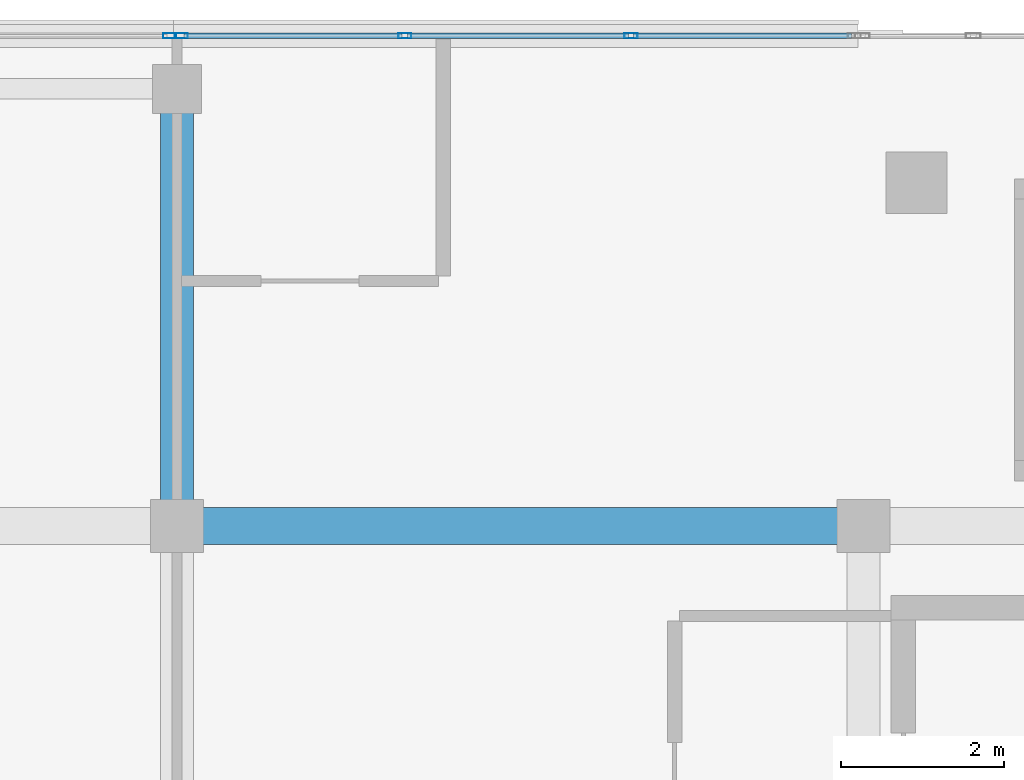
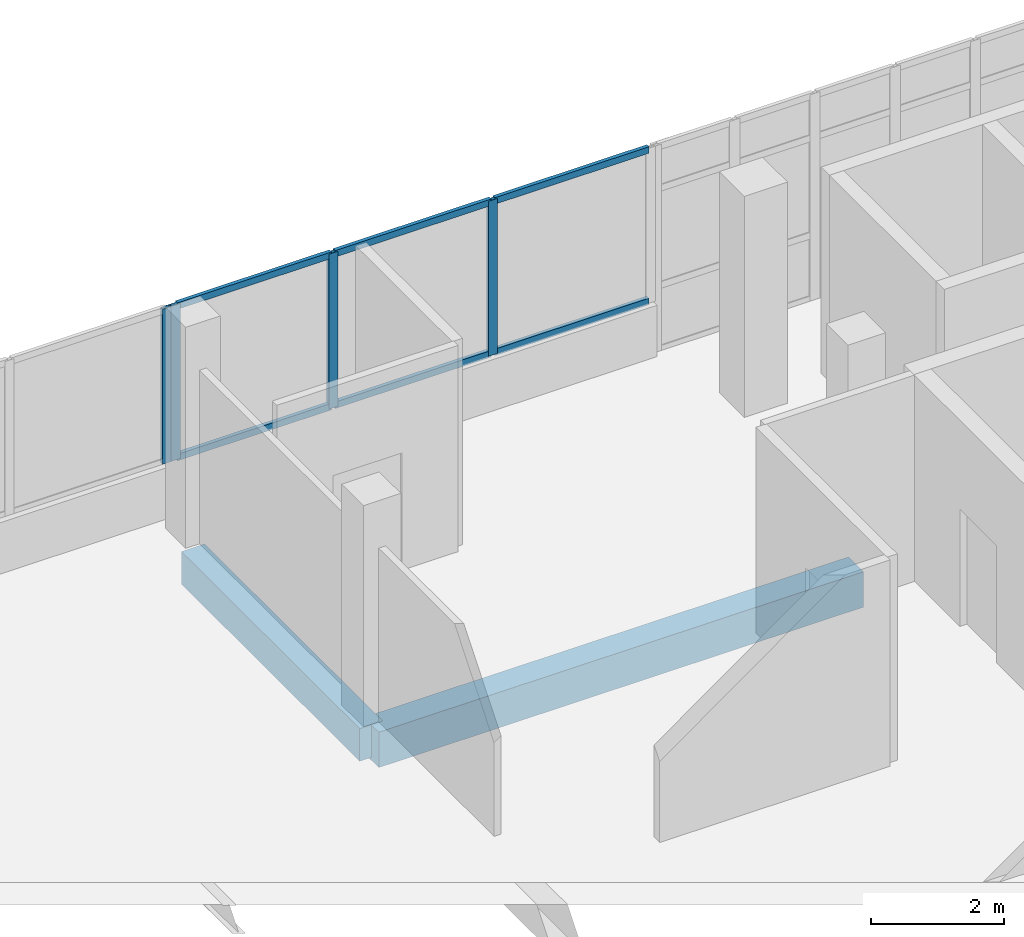
# One storey, part 20 of 76: 10 members, 2 beams, 2 elements without a shape of their own.
"""IFC4 building model written with IfcOpenShell, lengths in metres."""

from ifc_helpers import new_model, si_unit, direction, frame, origin, origin_2d, place, context, subcontext, project, spatial, rectangle, hollow_rectangle, extrude, material, material_profile, profile_set, type_object, element, aggregate, save


model = new_model("IFC4")

# Units and contexts
model_context = context("Model", 3, precision=1e-05, world=origin(), true_north=direction((0.0, 1.0)))
body_context = subcontext(model_context, "Body", "Model", "MODEL_VIEW")
ifc_project = project(units=[si_unit("LENGTHUNIT", "METRE"), si_unit("AREAUNIT", "SQUARE_METRE"), si_unit("VOLUMEUNIT", "CUBIC_METRE"), si_unit("PLANEANGLEUNIT", "RADIAN"), si_unit("MASSUNIT", "GRAM", prefix="KILO")], contexts=[model_context])

# Site, building, storey
site_placement = place(None, origin())
site = spatial("IfcSite", under=ifc_project, at=site_placement, CompositionType="ELEMENT")
building_placement = place(site_placement, origin())
building = spatial("IfcBuilding", under=site, at=building_placement, Name="Selatvlak General Hospital", CompositionType="ELEMENT")
storey_placement = place(building_placement, frame((0.0, 0.0, 27.300048828125)))
storey = spatial("IfcBuildingStorey", under=building, at=storey_placement, Name="L06", CompositionType="ELEMENT", Elevation=27.300048828125)

# Beams
ifc_material_1 = material(Name="Concrete C40/50", Category="concrete")
ifc_material_profile_1 = material_profile(ifc_material_1, rectangle(XDim=0.449951171875, YDim=0.64990234375, at=origin_2d()), Name="RC-BM 450x650")
ifc_profile_set_1 = profile_set([ifc_material_profile_1], Name="Concrete C40/50")
beam_type_1 = type_object("IfcBeamType", Name="BM-G04", PredefinedType="BEAM", material=ifc_profile_set_1)
beam_1_placement = place(storey_placement, frame((39.60009765625, 114.0, -0.60009765625), z_axis=(1.0, 0.0, 0.0), x_axis=(0.0, 1.0, 0.0)))
element("IfcBeam", 1, at=beam_1_placement, inside=storey, type_object=beam_type_1, Name="Beam BMR-L06-2219", PredefinedType="BEAM", context=body_context, shape_type="SweptSolid", body=[
    extrude(rectangle(XDim=0.449951171875, YDim=0.64990234375, at=origin_2d()), origin(), (0.0, 0.0, 1.0), 8.39990234375),
])
ifc_material_profile_2 = material_profile(ifc_material_1, rectangle(XDim=0.39990234375, YDim=0.60009765625, at=origin_2d()), Name="RC-BM 400x600")
ifc_profile_set_2 = profile_set([ifc_material_profile_2], Name="Concrete C40/50")
beam_type_2 = type_object("IfcBeamType", Name="BM-G05", PredefinedType="BEAM", material=ifc_profile_set_2)
beam_2_placement = place(storey_placement, frame((39.60009765625, 114.0, -0.574951171875), z_axis=(0.0, 1.0, 0.0), x_axis=(-1.0, 0.0, 0.0)))
element("IfcBeam", 2, at=beam_2_placement, inside=storey, type_object=beam_type_2, Name="Beam BMR-L06-2254", PredefinedType="BEAM", context=body_context, shape_type="SweptSolid", body=[
    extrude(rectangle(XDim=0.39990234375, YDim=0.60009765625, at=origin_2d()), origin(), (0.0, 0.0, 1.0), 5.35009765625),
])

# Curtain wall, member
ifc_material_2 = material(Name="Solar-control Low-E double glazing", Category="glass")
curtain_wall_type_1 = type_object("IfcCurtainWallType", Name="CW-CW-01", PredefinedType="USERDEFINED", material=ifc_material_2)
curtain_wall_1_placement = place(storey_placement, origin())
curtain_wall_1 = element("IfcCurtainWall", 3, at=curtain_wall_1_placement, inside=storey, type_object=curtain_wall_type_1, Name="Glazed facade curtain wall CW-L06-0599", ObjectType="UNITISED CURTAIN WALL", PredefinedType="USERDEFINED")
ifc_material_3 = material(Name="Dark anodised aluminium mullion", Category="aluminium")
ifc_material_profile_3 = material_profile(ifc_material_3, hollow_rectangle(XDim=0.06494140625, YDim=0.159912109375, WallThickness=0.00390625, at=origin_2d()), Name="AL-MUL 65x160x4")
ifc_profile_set_3 = profile_set([ifc_material_profile_3], Name="Dark anodised aluminium mullion")
member_type_1 = type_object("IfcMemberType", Name="CWM-01", PredefinedType="MULLION", material=ifc_profile_set_3)
member_1_placement = place(storey_placement, frame((39.510498046875, 119.9990234375, 0.93994140625), z_axis=(0.0, 0.0, 1.0), x_axis=(0.0, 1.0, 0.0)))
member_1 = element("IfcMember", 4, at=member_1_placement, type_object=member_type_1, Name="CW-01 mullion 4", PredefinedType="MULLION", context=body_context, shape_type="SweptSolid", body=[
    extrude(hollow_rectangle(XDim=0.06494140625, YDim=0.159912109375, WallThickness=0.00390625, at=origin_2d()), origin(), (0.0, 0.0, 1.0), 2.840087890625),
])
aggregate(curtain_wall_1, [member_1])

# Curtain wall, members
curtain_wall_type_2 = type_object("IfcCurtainWallType", Name="CW-CW-02", PredefinedType="USERDEFINED", material=ifc_material_2)
curtain_wall_2_placement = place(storey_placement, origin())
curtain_wall_2 = element("IfcCurtainWall", 5, at=curtain_wall_2_placement, inside=storey, type_object=curtain_wall_type_2, Name="Glazed facade curtain wall CW-L06-0600", ObjectType="UNITISED CURTAIN WALL", PredefinedType="USERDEFINED")
member_2_placement = place(storey_placement, frame((39.655517578125, 119.9990234375, 0.93994140625), z_axis=(0.0, 0.0, 1.0), x_axis=(0.0, 1.0, 0.0)))
member_2 = element("IfcMember", 6, at=member_2_placement, type_object=member_type_1, Name="CW-02 mullion 1", PredefinedType="MULLION", context=body_context, shape_type="SweptSolid", body=[
    extrude(hollow_rectangle(XDim=0.06494140625, YDim=0.159912109375, WallThickness=0.00390625, at=origin_2d()), origin(), (0.0, 0.0, 1.0), 2.840087890625),
])
member_3_placement = place(storey_placement, frame((42.389404296875, 119.9990234375, 0.93994140625), z_axis=(0.0, 0.0, 1.0), x_axis=(0.0, 1.0, 0.0)))
member_3 = element("IfcMember", 7, at=member_3_placement, type_object=member_type_1, Name="CW-02 mullion 2", PredefinedType="MULLION", context=body_context, shape_type="SweptSolid", body=[
    extrude(hollow_rectangle(XDim=0.06494140625, YDim=0.159912109375, WallThickness=0.00390625, at=origin_2d()), origin(), (0.0, 0.0, 1.0), 2.840087890625),
])
member_4_placement = place(storey_placement, frame((45.15576171875, 119.9990234375, 0.93994140625), z_axis=(0.0, 0.0, 1.0), x_axis=(0.0, 1.0, 0.0)))
member_4 = element("IfcMember", 8, at=member_4_placement, type_object=member_type_1, Name="CW-02 mullion 3", PredefinedType="MULLION", context=body_context, shape_type="SweptSolid", body=[
    extrude(hollow_rectangle(XDim=0.06494140625, YDim=0.159912109375, WallThickness=0.00390625, at=origin_2d()), origin(), (0.0, 0.0, 1.0), 2.840087890625),
])
ifc_material_profile_4 = material_profile(ifc_material_3, hollow_rectangle(XDim=0.06494140625, YDim=0.1201171875, WallThickness=0.00390625, at=origin_2d()), Name="AL-TRN 65x120x4")
ifc_profile_set_4 = profile_set([ifc_material_profile_4], Name="Dark anodised aluminium mullion")
member_type_2 = type_object("IfcMemberType", Name="CWT-01", PredefinedType="USERDEFINED", material=ifc_profile_set_4)
member_5_placement = place(storey_placement, frame((39.68798828125, 119.9990234375, 0.972412109375), z_axis=(1.0, 0.0, 0.0), x_axis=(0.0, 1.0, 0.0)))
member_5 = element("IfcMember", 9, at=member_5_placement, type_object=member_type_2, Name="CW-02 transom 1.1", ObjectType="TRANSOM", PredefinedType="USERDEFINED", context=body_context, shape_type="SweptSolid", body=[
    extrude(hollow_rectangle(XDim=0.06494140625, YDim=0.1201171875, WallThickness=0.00390625, at=origin_2d()), origin(), (0.0, 0.0, 1.0), 2.6689453125),
])
member_6_placement = place(storey_placement, frame((39.68798828125, 119.9990234375, 3.74755859375), z_axis=(1.0, 0.0, 0.0), x_axis=(0.0, 1.0, 0.0)))
member_6 = element("IfcMember", 10, at=member_6_placement, type_object=member_type_2, Name="CW-02 transom 1.2", ObjectType="TRANSOM", PredefinedType="USERDEFINED", context=body_context, shape_type="SweptSolid", body=[
    extrude(hollow_rectangle(XDim=0.06494140625, YDim=0.1201171875, WallThickness=0.00390625, at=origin_2d()), origin(), (0.0, 0.0, 1.0), 2.6689453125),
])
member_7_placement = place(storey_placement, frame((42.421875, 119.9990234375, 0.972412109375), z_axis=(1.0, 0.0, 0.0), x_axis=(0.0, 1.0, 0.0)))
member_7 = element("IfcMember", 11, at=member_7_placement, type_object=member_type_2, Name="CW-02 transom 2.1", ObjectType="TRANSOM", PredefinedType="USERDEFINED", context=body_context, shape_type="SweptSolid", body=[
    extrude(hollow_rectangle(XDim=0.06494140625, YDim=0.1201171875, WallThickness=0.00390625, at=origin_2d()), origin(), (0.0, 0.0, 1.0), 2.701171875),
])
member_8_placement = place(storey_placement, frame((42.421875, 119.9990234375, 3.74755859375), z_axis=(1.0, 0.0, 0.0), x_axis=(0.0, 1.0, 0.0)))
member_8 = element("IfcMember", 12, at=member_8_placement, type_object=member_type_2, Name="CW-02 transom 2.2", ObjectType="TRANSOM", PredefinedType="USERDEFINED", context=body_context, shape_type="SweptSolid", body=[
    extrude(hollow_rectangle(XDim=0.06494140625, YDim=0.1201171875, WallThickness=0.00390625, at=origin_2d()), origin(), (0.0, 0.0, 1.0), 2.701171875),
])
member_9_placement = place(storey_placement, frame((45.188232421875, 119.9990234375, 0.972412109375), z_axis=(1.0, 0.0, 0.0), x_axis=(0.0, 1.0, 0.0)))
member_9 = element("IfcMember", 13, at=member_9_placement, type_object=member_type_2, Name="CW-02 transom 3.1", ObjectType="TRANSOM", PredefinedType="USERDEFINED", context=body_context, shape_type="SweptSolid", body=[
    extrude(hollow_rectangle(XDim=0.06494140625, YDim=0.1201171875, WallThickness=0.00390625, at=origin_2d()), origin(), (0.0, 0.0, 1.0), 2.668701171875),
])
member_10_placement = place(storey_placement, frame((45.188232421875, 119.9990234375, 3.74755859375), z_axis=(1.0, 0.0, 0.0), x_axis=(0.0, 1.0, 0.0)))
member_10 = element("IfcMember", 14, at=member_10_placement, type_object=member_type_2, Name="CW-02 transom 3.2", ObjectType="TRANSOM", PredefinedType="USERDEFINED", context=body_context, shape_type="SweptSolid", body=[
    extrude(hollow_rectangle(XDim=0.06494140625, YDim=0.1201171875, WallThickness=0.00390625, at=origin_2d()), origin(), (0.0, 0.0, 1.0), 2.668701171875),
])
aggregate(curtain_wall_2, [member_2, member_3, member_4, member_5, member_6, member_7, member_8, member_9, member_10])

save(model, "model.ifc")
